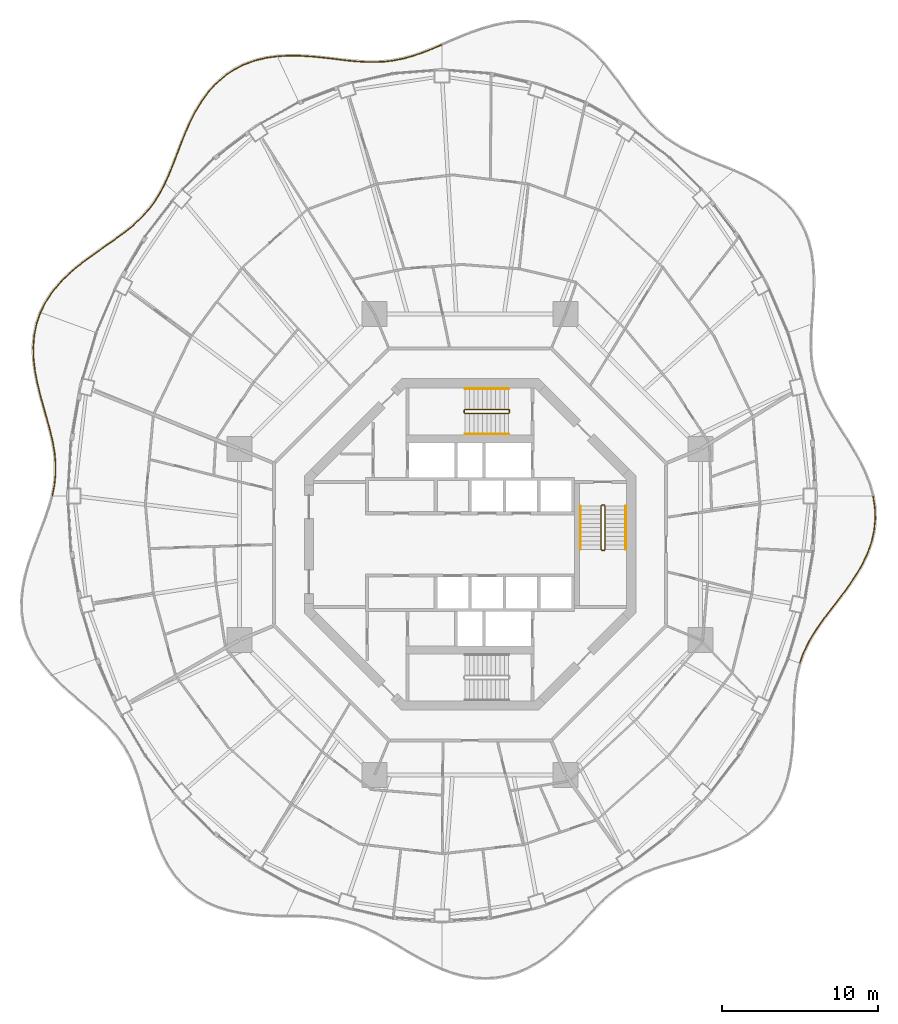
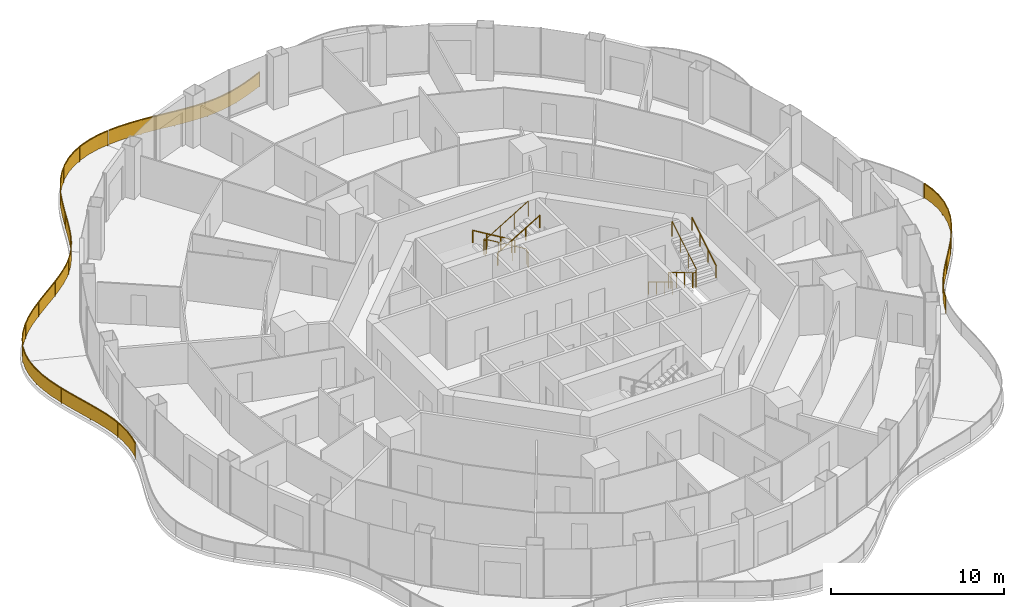
# One storey, part 17 of 18: 11 railings.
"""IFC4 building model written with IfcOpenShell, lengths in metres."""

from ifc_helpers import new_model, si_unit, direction, frame, origin, origin_2d, place, context, subcontext, project, spatial, polyline, rectangle, circle, outline, extrude, material, type_object, element, save


model = new_model("IFC4")

# Units and contexts
model_context = context("Model", 3, precision=1e-05, world=origin(), true_north=direction((0.0, 1.0)))
body_context = subcontext(model_context, "Body", "Model", "MODEL_VIEW")
ifc_project = project(units=[si_unit("LENGTHUNIT", "METRE"), si_unit("AREAUNIT", "SQUARE_METRE"), si_unit("VOLUMEUNIT", "CUBIC_METRE"), si_unit("PLANEANGLEUNIT", "RADIAN"), si_unit("MASSUNIT", "GRAM", prefix="KILO")], contexts=[model_context])

# Site, building, storey
site_placement = place(None, origin())
site = spatial("IfcSite", under=ifc_project, at=site_placement, CompositionType="ELEMENT")
building_placement = place(site_placement, origin())
building = spatial("IfcBuilding", under=site, at=building_placement, Name="Nagisa Residences", CompositionType="ELEMENT")
storey_placement = place(building_placement, frame((0.0, 0.0, 219.60009765625)))
storey = spatial("IfcBuildingStorey", under=building, at=storey_placement, Name="L55", CompositionType="ELEMENT", Elevation=219.60009765625)

# Railings
ifc_material_1 = material(Name="Stainless steel 316", Category="steel")
railing_type_1 = type_object("IfcRailingType", Name="BALCONY GUARD 1100", PredefinedType="BALUSTRADE", material=ifc_material_1)
railing_1_placement = place(storey_placement, frame((-1.834228515625, 32.01806640625, 0.0)))
element("IfcRailing", 1, at=railing_1_placement, inside=storey, type_object=railing_type_1, Name="guard:L55:bal04-0", PredefinedType="BALUSTRADE", context=body_context, shape_type="SweptSolid", body=[
    extrude(outline(polyline([(-0.581298828125, -0.274658203125), (0.009765625, -0.02294921875), (-0.009765625, 0.02294921875), (-0.600341796875, -0.228271484375), (-1.220703125, -0.47119140625), (-1.83203125, -0.68017578125), (-2.4384765625, -0.84814453125), (-3.04541015625, -0.97119140625), (-3.640869140625, -1.04443359375), (-4.264404296875, -1.0751953125), (-4.90234375, -1.0654296875), (-5.55810546875, -1.021728515625), (-6.232666015625, -0.953857421875), (-6.909423828125, -0.86767578125), (-7.619873046875, -0.7861328125), (-8.34375, -0.716796875), (-9.07568359375, -0.673095703125), (-9.80908203125, -0.666748046875), (-10.48974609375, -0.70458984375), (-10.48681640625, -0.75439453125), (-9.80810546875, -0.717041015625), (-9.0771484375, -0.722900390625), (-8.34765625, -0.7666015625), (-7.625244140625, -0.8359375), (-6.915283203125, -0.91748046875), (-6.238525390625, -1.003662109375), (-5.5625, -1.071533203125), (-4.904296875, -1.115234375), (-4.263427734375, -1.12548828125), (-3.636474609375, -1.09423828125), (-3.03759765625, -1.0205078125), (-2.4267578125, -0.89697265625), (-1.8173828125, -0.72802734375), (-1.20361328125, -0.51806640625), (-0.581298828125, -0.274658203125)])), frame((0.0, 0.0, 1.050048828125)), (0.0, 0.0, 1.0), 0.050048828125),
    extrude(outline(polyline([(-0.588134765625, -0.258056640625), (0.002685546875, -0.00634765625), (-0.002685546875, 0.00634765625), (-0.593505859375, -0.244873046875), (-1.214599609375, -0.488037109375), (-1.82666015625, -0.697509765625), (-2.434326171875, -0.86572265625), (-3.042724609375, -0.989013671875), (-3.63916015625, -1.062255859375), (-4.263916015625, -1.09326171875), (-4.903076171875, -1.083251953125), (-5.559814453125, -1.03955078125), (-6.23486328125, -0.971923828125), (-6.91162109375, -0.8857421875), (-7.621826171875, -0.803955078125), (-8.34521484375, -0.734619140625), (-9.076171875, -0.69091796875), (-9.808837890625, -0.684814453125), (-10.48876953125, -0.722412109375), (-10.48779296875, -0.736572265625), (-9.808349609375, -0.698974609375), (-9.07666015625, -0.705078125), (-8.34619140625, -0.748779296875), (-7.623291015625, -0.818115234375), (-6.9130859375, -0.8994140625), (-6.236328125, -0.985595703125), (-5.560791015625, -1.0537109375), (-4.903564453125, -1.097412109375), (-4.263916015625, -1.107421875), (-3.63818359375, -1.076416015625), (-3.040283203125, -1.002685546875), (-2.430908203125, -0.87939453125), (-1.82275390625, -0.710693359375), (-1.209716796875, -0.501220703125), (-0.588134765625, -0.258056640625)])), frame((0.0, 0.0, 0.06005859375)), (0.0, 0.0, 1.0), 0.989990234375),
    extrude(rectangle(XDim=0.0400390625, YDim=0.0400390625, at=origin_2d()), origin(), (0.0, 0.0, 1.0), 1.050048828125),
    extrude(rectangle(XDim=0.0400390625, YDim=0.0400390625, at=origin_2d()), frame((-1.997802734375, -0.751953125, 0.0)), (0.0, 0.0, 1.0), 1.050048828125),
    extrude(rectangle(XDim=0.0400390625, YDim=0.0400390625, at=origin_2d()), frame((-4.100341796875, -1.09228515625, 0.0)), (0.0, 0.0, 1.0), 1.050048828125),
    extrude(rectangle(XDim=0.0400390625, YDim=0.0400390625, at=origin_2d()), frame((-6.2314453125, -0.979248046875, 0.0)), (0.0, 0.0, 1.0), 1.050048828125),
    extrude(rectangle(XDim=0.0400390625, YDim=0.0400390625, at=origin_2d()), frame((-8.354248046875, -0.7412109375, 0.0)), (0.0, 0.0, 1.0), 1.050048828125),
    extrude(rectangle(XDim=0.0400390625, YDim=0.0400390625, at=origin_2d()), frame((-10.48828125, -0.7294921875, 0.0)), (0.0, 0.0, 1.0), 1.050048828125),
])
railing_2_placement = place(storey_placement, frame((-12.3994140625, 31.28173828125, 0.0)))
element("IfcRailing", 2, at=railing_2_placement, inside=storey, type_object=railing_type_1, Name="guard:L55:bal05-0", PredefinedType="BALUSTRADE", context=body_context, shape_type="SweptSolid", body=[
    extrude(outline(polyline([(-0.688232421875, -0.121337890625), (0.00341796875, -0.02490234375), (-0.00341796875, 0.02490234375), (-0.697509765625, -0.072021484375), (-1.4150390625, -0.24853515625), (-2.099853515625, -0.500244140625), (-2.74462890625, -0.8291015625), (-3.340576171875, -1.232421875), (-3.876220703125, -1.70068359375), (-4.369873046875, -2.24072265625), (-4.81103515625, -2.835693359375), (-5.201904296875, -3.47412109375), (-5.548095703125, -4.143798828125), (-5.844482421875, -4.821533203125), (-6.125244140625, -5.516357421875), (-6.388427734375, -6.205078125), (-6.64501953125, -6.878173828125), (-6.906982421875, -7.5263671875), (-7.16650390625, -8.105224609375), (-7.12060546875, -8.125732421875), (-6.861083984375, -7.5458984375), (-6.5986328125, -6.896240234375), (-6.341552734375, -6.22314453125), (-6.078857421875, -5.534423828125), (-5.798583984375, -4.841064453125), (-5.502685546875, -4.165283203125), (-5.158447265625, -3.49853515625), (-4.76953125, -2.863525390625), (-4.331298828125, -2.2724609375), (-3.841064453125, -1.736328125), (-3.309814453125, -1.27197265625), (-2.71923828125, -0.8720703125), (-2.079833984375, -0.546142578125), (-1.400390625, -0.29638671875), (-0.688232421875, -0.121337890625)])), frame((0.0, 0.0, 1.050048828125)), (0.0, 0.0, 1.0), 0.050048828125),
    extrude(outline(polyline([(-0.691650390625, -0.103515625), (0.0009765625, -0.0068359375), (-0.0009765625, 0.0068359375), (-0.694091796875, -0.08984375), (-1.40966796875, -0.265869140625), (-2.092529296875, -0.516845703125), (-2.735595703125, -0.844482421875), (-3.32958984375, -1.24658203125), (-3.863525390625, -1.71337890625), (-4.35595703125, -2.252197265625), (-4.796142578125, -2.845703125), (-5.186279296875, -3.48291015625), (-5.53173828125, -4.151611328125), (-5.827880859375, -4.82861328125), (-6.108642578125, -5.52294921875), (-6.37158203125, -6.211669921875), (-6.62841796875, -6.884765625), (-6.890380859375, -7.533447265625), (-7.14990234375, -8.112548828125), (-7.13720703125, -8.118408203125), (-6.877685546875, -7.538818359375), (-6.615234375, -6.8896484375), (-6.3583984375, -6.216552734375), (-6.095458984375, -5.52783203125), (-5.815185546875, -4.833984375), (-5.51904296875, -4.157470703125), (-5.174072265625, -3.48974609375), (-4.784423828125, -2.853515625), (-4.34521484375, -2.260986328125), (-3.853759765625, -1.7236328125), (-3.32080078125, -1.2578125), (-2.728271484375, -0.856689453125), (-2.087158203125, -0.529541015625), (-1.40576171875, -0.279052734375), (-0.691650390625, -0.103515625)])), frame((0.0, 0.0, 0.06005859375)), (0.0, 0.0, 1.0), 0.989990234375),
    extrude(rectangle(XDim=0.0400390625, YDim=0.0400390625, at=origin_2d()), origin(), (0.0, 0.0, 1.0), 1.050048828125),
    extrude(rectangle(XDim=0.0400390625, YDim=0.0400390625, at=origin_2d()), frame((-2.221923828125, -0.590576171875, 0.0)), (0.0, 0.0, 1.0), 1.050048828125),
    extrude(rectangle(XDim=0.0400390625, YDim=0.0400390625, at=origin_2d()), frame((-4.070068359375, -1.94970703125, 0.0)), (0.0, 0.0, 1.0), 1.050048828125),
    extrude(rectangle(XDim=0.0400390625, YDim=0.0400390625, at=origin_2d()), frame((-5.368408203125, -3.850830078125, 0.0)), (0.0, 0.0, 1.0), 1.050048828125),
    extrude(rectangle(XDim=0.0400390625, YDim=0.0400390625, at=origin_2d()), frame((-6.27392578125, -5.975341796875, 0.0)), (0.0, 0.0, 1.0), 1.050048828125),
    extrude(rectangle(XDim=0.0400390625, YDim=0.0400390625, at=origin_2d()), frame((-7.1435546875, -8.115478515625, 0.0)), (0.0, 0.0, 1.0), 1.050048828125),
])
railing_3_placement = place(storey_placement, frame((-19.572509765625, 23.1005859375, 0.0)))
element("IfcRailing", 3, at=railing_3_placement, inside=storey, type_object=railing_type_1, Name="guard:L55:bal06-0", PredefinedType="BALUSTRADE", context=body_context, shape_type="SweptSolid", body=[
    extrude(outline(polyline([(-0.2783203125, -0.5859375), (0.022216796875, -0.01171875), (-0.022216796875, 0.01171875), (-0.32177734375, -0.56103515625), (-0.6796875, -1.130859375), (-1.08251953125, -1.661865234375), (-1.533935546875, -2.157958984375), (-2.033935546875, -2.625244140625), (-2.571533203125, -3.05908203125), (-3.156005859375, -3.493896484375), (-3.76953125, -3.926513671875), (-4.3994140625, -4.36669921875), (-5.03076171875, -4.82373046875), (-5.6416015625, -5.29248046875), (-6.228515625, -5.804931640625), (-6.769775390625, -6.353271484375), (-7.2509765625, -6.939453125), (-7.659912109375, -7.564208984375), (-7.96728515625, -8.182373046875), (-7.92236328125, -8.204833984375), (-7.616455078125, -7.589111328125), (-7.21044921875, -6.96923828125), (-6.732666015625, -6.386962890625), (-6.1943359375, -5.841552734375), (-5.60986328125, -5.3310546875), (-5.0009765625, -4.86376953125), (-4.37060546875, -4.40771484375), (-3.74072265625, -3.967529296875), (-3.126708984375, -3.534423828125), (-2.540771484375, -3.0986328125), (-2.001220703125, -2.662841796875), (-1.498291015625, -2.193115234375), (-1.0439453125, -1.694091796875), (-0.638671875, -1.1591796875), (-0.2783203125, -0.5859375)])), frame((0.0, 0.0, 1.050048828125)), (0.0, 0.0, 1.0), 0.050048828125),
    extrude(outline(polyline([(-0.2939453125, -0.576904296875), (0.006103515625, -0.003173828125), (-0.006103515625, 0.003173828125), (-0.30615234375, -0.570068359375), (-0.6650390625, -1.14111328125), (-1.068603515625, -1.673583984375), (-1.52099609375, -2.170654296875), (-2.022216796875, -2.638671875), (-2.560546875, -3.0732421875), (-3.1455078125, -3.508544921875), (-3.759033203125, -3.94140625), (-4.38916015625, -4.381591796875), (-5.02001953125, -4.838134765625), (-5.630126953125, -5.306396484375), (-6.21630859375, -5.818115234375), (-6.75634765625, -6.365478515625), (-7.236328125, -6.9501953125), (-7.644287109375, -7.5732421875), (-7.951171875, -8.1904296875), (-7.9384765625, -8.19677734375), (-7.632080078125, -7.580078125), (-7.22509765625, -6.95849609375), (-6.74609375, -6.374755859375), (-6.20654296875, -5.828369140625), (-5.621337890625, -5.317138671875), (-5.01171875, -4.849365234375), (-4.380859375, -4.392822265625), (-3.751220703125, -3.95263671875), (-3.13720703125, -3.519775390625), (-2.5517578125, -3.08447265625), (-2.012939453125, -2.6494140625), (-1.51123046875, -2.180419921875), (-1.057861328125, -1.682373046875), (-0.6533203125, -1.14892578125), (-0.2939453125, -0.576904296875)])), frame((0.0, 0.0, 0.06005859375)), (0.0, 0.0, 1.0), 0.989990234375),
    extrude(rectangle(XDim=0.0400390625, YDim=0.0400390625, at=origin_2d()), origin(), (0.0, 0.0, 1.0), 1.050048828125),
    extrude(rectangle(XDim=0.0400390625, YDim=0.0400390625, at=origin_2d()), frame((-1.281005859375, -1.917236328125, 0.0)), (0.0, 0.0, 1.0), 1.050048828125),
    extrude(rectangle(XDim=0.0400390625, YDim=0.0400390625, at=origin_2d()), frame((-3.027099609375, -3.42919921875, 0.0)), (0.0, 0.0, 1.0), 1.050048828125),
    extrude(rectangle(XDim=0.0400390625, YDim=0.0400390625, at=origin_2d()), frame((-4.913818359375, -4.77001953125, 0.0)), (0.0, 0.0, 1.0), 1.050048828125),
    extrude(rectangle(XDim=0.0400390625, YDim=0.0400390625, at=origin_2d()), frame((-6.66259765625, -6.280517578125, 0.0)), (0.0, 0.0, 1.0), 1.050048828125),
    extrude(rectangle(XDim=0.0400390625, YDim=0.0400390625, at=origin_2d()), frame((-7.94482421875, -8.193603515625, 0.0)), (0.0, 0.0, 1.0), 1.050048828125),
])
railing_4_placement = place(storey_placement, frame((-27.54736328125, 14.835693359375, 0.0)))
element("IfcRailing", 4, at=railing_4_placement, inside=storey, type_object=railing_type_1, Name="guard:L55:bal07-0", PredefinedType="BALUSTRADE", context=body_context, shape_type="SweptSolid", body=[
    extrude(outline(polyline([(-0.207763671875, -0.676513671875), (0.023681640625, -0.00830078125), (-0.023681640625, 0.00830078125), (-0.256103515625, -0.663330078125), (-0.410400390625, -1.408447265625), (-0.4736328125, -2.176025390625), (-0.453125, -2.957763671875), (-0.360595703125, -3.74609375), (-0.207275390625, -4.520263671875), (-0.016845703125, -5.30126953125), (0.1953125, -6.0703125), (0.409912109375, -6.823974609375), (0.608642578125, -7.56103515625), (0.775634765625, -8.267333984375), (0.894287109375, -8.97216796875), (0.954833984375, -9.665283203125), (0.951416015625, -10.3505859375), (0.88134765625, -11.03369140625), (0.754638671875, -11.678466796875), (0.803955078125, -11.688232421875), (0.9306640625, -11.041015625), (1.001220703125, -10.353515625), (1.005126953125, -9.663330078125), (0.944091796875, -8.9658203125), (0.824951171875, -8.257568359375), (0.656982421875, -7.548828125), (0.458251953125, -6.810791015625), (0.24365234375, -6.056640625), (0.031494140625, -5.28857421875), (-0.158447265625, -4.509521484375), (-0.311279296875, -3.73828125), (-0.4033203125, -2.954345703125), (-0.42333984375, -2.177490234375), (-0.360595703125, -1.415771484375), (-0.207763671875, -0.676513671875)])), frame((0.0, 0.0, 1.050048828125)), (0.0, 0.0, 1.0), 0.050048828125),
    extrude(outline(polyline([(-0.22509765625, -0.671875), (0.006591796875, -0.002197265625), (-0.006591796875, 0.002197265625), (-0.23876953125, -0.66796875), (-0.392333984375, -1.4111328125), (-0.45556640625, -2.176513671875), (-0.435302734375, -2.95654296875), (-0.3427734375, -3.7431640625), (-0.189697265625, -4.516357421875), (0.00048828125, -5.296630859375), (0.212646484375, -6.0654296875), (0.42724609375, -6.8193359375), (0.6259765625, -7.556640625), (0.79345703125, -8.263916015625), (0.912353515625, -8.969970703125), (0.972900390625, -9.66455078125), (0.96923828125, -10.3515625), (0.899169921875, -11.036376953125), (0.7724609375, -11.681884765625), (0.7861328125, -11.684814453125), (0.912841796875, -11.038330078125), (0.9833984375, -10.3525390625), (0.987060546875, -9.6640625), (0.926025390625, -8.968017578125), (0.80712890625, -8.260986328125), (0.6396484375, -7.55322265625), (0.44091796875, -6.8154296875), (0.226318359375, -6.0615234375), (0.01416015625, -5.293212890625), (-0.176025390625, -4.513427734375), (-0.3291015625, -3.7412109375), (-0.421142578125, -2.95556640625), (-0.44140625, -2.177001953125), (-0.378662109375, -1.4130859375), (-0.22509765625, -0.671875)])), frame((0.0, 0.0, 0.06005859375)), (0.0, 0.0, 1.0), 0.989990234375),
    extrude(rectangle(XDim=0.0400390625, YDim=0.0400390625, at=origin_2d()), origin(), (0.0, 0.0, 1.0), 1.050048828125),
    extrude(rectangle(XDim=0.0400390625, YDim=0.0400390625, at=origin_2d()), frame((-0.444580078125, -2.326171875, 0.0)), (0.0, 0.0, 1.0), 1.050048828125),
    extrude(rectangle(XDim=0.0400390625, YDim=0.0400390625, at=origin_2d()), frame((-0.1416015625, -4.683837890625, 0.0)), (0.0, 0.0, 1.0), 1.050048828125),
    extrude(rectangle(XDim=0.0400390625, YDim=0.0400390625, at=origin_2d()), frame((0.479248046875, -6.98486328125, 0.0)), (0.0, 0.0, 1.0), 1.050048828125),
    extrude(rectangle(XDim=0.0400390625, YDim=0.0400390625, at=origin_2d()), frame((0.94970703125, -9.317138671875, 0.0)), (0.0, 0.0, 1.0), 1.050048828125),
    extrude(rectangle(XDim=0.0400390625, YDim=0.0400390625, at=origin_2d()), frame((0.779296875, -11.683349609375, 0.0)), (0.0, 0.0, 1.0), 1.050048828125),
])
railing_5_placement = place(storey_placement, frame((21.143310546875, -7.584228515625, 0.0)))
element("IfcRailing", 5, at=railing_5_placement, inside=storey, type_object=railing_type_1, Name="guard:L55:bal15-0", PredefinedType="BALUSTRADE", context=body_context, shape_type="SweptSolid", body=[
    extrude(outline(polyline([(0.1943359375, 0.6181640625), (-0.023681640625, 0.00830078125), (0.023681640625, -0.00830078125), (0.24072265625, 0.59912109375), (0.533447265625, 1.2255859375), (0.885986328125, 1.83935546875), (1.291015625, 2.447021484375), (1.737548828125, 3.055908203125), (2.207763671875, 3.65869140625), (2.69140625, 4.288330078125), (3.166259765625, 4.935302734375), (3.61279296875, 5.602783203125), (4.012939453125, 6.291259765625), (4.347900390625, 6.986328125), (4.606201171875, 7.713623046875), (4.775634765625, 8.45556640625), (4.849365234375, 9.20654296875), (4.8251953125, 9.96142578125), (4.712158203125, 10.667724609375), (4.662841796875, 10.659912109375), (4.775390625, 9.95654296875), (4.799072265625, 9.2080078125), (4.726318359375, 8.46337890625), (4.557861328125, 7.727783203125), (4.301513671875, 7.005859375), (3.968505859375, 6.314697265625), (3.5703125, 5.629150390625), (3.125244140625, 4.964111328125), (2.6513671875, 4.318603515625), (2.168212890625, 3.689453125), (1.697509765625, 3.086181640625), (1.25, 2.475830078125), (0.843505859375, 1.86572265625), (0.489013671875, 1.24853515625), (0.1943359375, 0.6181640625)])), frame((0.0, 0.0, 1.050048828125)), (0.0, 0.0, 1.0), 0.050048828125),
    extrude(outline(polyline([(0.2109375, 0.611328125), (-0.006591796875, 0.00244140625), (0.006591796875, -0.00244140625), (0.22412109375, 0.60595703125), (0.517333984375, 1.23388671875), (0.87060546875, 1.848876953125), (1.2763671875, 2.45751953125), (1.72314453125, 3.06689453125), (2.193603515625, 3.669677734375), (2.677001953125, 4.29931640625), (3.1513671875, 4.94580078125), (3.597412109375, 5.6123046875), (3.996826171875, 6.2998046875), (4.331298828125, 6.993408203125), (4.5888671875, 7.71875), (4.7578125, 8.458251953125), (4.831298828125, 9.20703125), (4.807373046875, 9.959716796875), (4.6943359375, 10.6650390625), (4.6806640625, 10.66259765625), (4.793212890625, 9.958251953125), (4.817138671875, 9.20751953125), (4.744140625, 8.460693359375), (4.5751953125, 7.72265625), (4.318115234375, 6.998779296875), (3.984619140625, 6.30615234375), (3.585693359375, 5.61962890625), (3.14013671875, 4.95361328125), (2.665771484375, 4.3076171875), (2.182373046875, 3.678466796875), (1.7119140625, 3.0751953125), (1.2646484375, 2.46533203125), (0.85888671875, 1.856201171875), (0.505126953125, 1.240234375), (0.2109375, 0.611328125)])), frame((0.0, 0.0, 0.06005859375)), (0.0, 0.0, 1.0), 0.989990234375),
    extrude(rectangle(XDim=0.0400390625, YDim=0.0400390625, at=origin_2d()), origin(), (0.0, 0.0, 1.0), 1.050048828125),
    extrude(rectangle(XDim=0.0400390625, YDim=0.0400390625, at=origin_2d()), frame((0.840576171875, 1.810302734375, 0.0)), (0.0, 0.0, 1.0), 1.050048828125),
    extrude(rectangle(XDim=0.0400390625, YDim=0.0400390625, at=origin_2d()), frame((2.00341796875, 3.437744140625, 0.0)), (0.0, 0.0, 1.0), 1.050048828125),
    extrude(rectangle(XDim=0.0400390625, YDim=0.0400390625, at=origin_2d()), frame((3.204833984375, 5.037841796875, 0.0)), (0.0, 0.0, 1.0), 1.050048828125),
    extrude(rectangle(XDim=0.0400390625, YDim=0.0400390625, at=origin_2d()), frame((4.212646484375, 6.763427734375, 0.0)), (0.0, 0.0, 1.0), 1.050048828125),
    extrude(rectangle(XDim=0.0400390625, YDim=0.0400390625, at=origin_2d()), frame((4.77197265625, 8.674560546875, 0.0)), (0.0, 0.0, 1.0), 1.050048828125),
    extrude(rectangle(XDim=0.0400390625, YDim=0.0400390625, at=origin_2d()), frame((4.6875, 10.663818359375, 0.0)), (0.0, 0.0, 1.0), 1.050048828125),
])
ifc_material_2 = material(Name="Stainless steel", Category="steel")
railing_type_2 = type_object("IfcRailingType", Name="Stair guard 1100", PredefinedType="GUARDRAIL", material=ifc_material_2)
railing_6_placement = place(storey_placement, frame((8.599609375, 2.52490234375, 0.0)))
element("IfcRailing", 6, at=railing_6_placement, inside=storey, type_object=railing_type_2, Name="L55 ST-E stair guard 1", PredefinedType="GUARDRAIL", context=body_context, shape_type="SweptSolid", body=[
    extrude(circle(Radius=0.02392578125, at=origin_2d()), frame((0.0, 0.0, 1.076171875), z_axis=(-1.0, 0.0, 0.0), x_axis=(0.0, -1.0, 0.0)), (0.0, 0.0, 1.0), 0.14990234375),
    extrude(circle(Radius=0.02392578125, at=origin_2d()), frame((-0.14990234375, 0.0, 1.076171875), z_axis=(-0.274683208305, -0.273343290215, 0.921863645432), x_axis=(0.705375805398, -0.708833529934, 0.0)), (0.0, 0.0, 1.0), 0.18212890625),
    extrude(circle(Radius=0.02392578125, at=origin_2d()), frame((-0.199951171875, -0.0498046875, 1.244140625), z_axis=(0.0, -0.857242210791, 0.514913383045), x_axis=(1.0, 0.0, 0.0)), (0.0, 0.0, 1.0), 3.266357421875),
    extrude(circle(Radius=0.02392578125, at=origin_2d()), frame((-0.199951171875, -2.849853515625, 2.92578125), z_axis=(0.707106781187, -0.707106781187, 0.0), x_axis=(0.707106781187, 0.707106781187, 0.0)), (0.0, 0.0, 1.0), 0.07080078125),
    extrude(circle(Radius=0.02392578125, at=origin_2d()), frame((-0.14990234375, -2.89990234375, 2.92578125), z_axis=(1.0, 0.0, 0.0), x_axis=(0.0, 1.0, 0.0)), (0.0, 0.0, 1.0), 0.14990234375),
    extrude(circle(Radius=0.02392578125, at=origin_2d()), frame((0.0, -2.89990234375, 2.92578125), z_axis=(0.274243871929, 0.274243871929, 0.92172696468), x_axis=(-0.707106781187, 0.707106781187, 0.0)), (0.0, 0.0, 1.0), 0.1826171875),
    extrude(circle(Radius=0.02392578125, at=origin_2d()), frame((0.050048828125, -2.849853515625, 3.09423828125), z_axis=(0.0, 0.857242210791, 0.514913383045), x_axis=(-1.0, 0.0, 0.0)), (0.0, 0.0, 1.0), 3.266357421875),
    extrude(circle(Radius=0.02099609375, at=origin_2d()), origin(), (0.0, 0.0, 1.0), 1.052001953125),
    extrude(circle(Radius=0.02099609375, at=origin_2d()), frame((-0.14990234375, 0.0, 0.0)), (0.0, 0.0, 1.0), 1.052001953125),
    extrude(circle(Radius=0.02099609375, at=origin_2d()), frame((-0.199951171875, -0.0498046875, 0.16796875)), (0.0, 0.0, 1.0), 1.052001953125),
    extrude(circle(Radius=0.02099609375, at=origin_2d()), frame((-0.199951171875, -0.983154296875, 0.728515625)), (0.0, 0.0, 1.0), 1.052001953125),
    extrude(circle(Radius=0.02099609375, at=origin_2d()), frame((-0.199951171875, -1.91650390625, 1.289306640625)), (0.0, 0.0, 1.0), 1.052001953125),
    extrude(circle(Radius=0.02099609375, at=origin_2d()), frame((-0.199951171875, -2.849853515625, 1.849853515625)), (0.0, 0.0, 1.0), 1.052001953125),
    extrude(circle(Radius=0.02099609375, at=origin_2d()), frame((-0.14990234375, -2.89990234375, 1.849853515625)), (0.0, 0.0, 1.0), 1.052001953125),
    extrude(circle(Radius=0.02099609375, at=origin_2d()), frame((0.0, -2.89990234375, 1.849853515625)), (0.0, 0.0, 1.0), 1.052001953125),
    extrude(circle(Radius=0.02099609375, at=origin_2d()), frame((0.050048828125, -2.849853515625, 2.01806640625)), (0.0, 0.0, 1.0), 1.052001953125),
    extrude(circle(Radius=0.02099609375, at=origin_2d()), frame((0.050048828125, -1.91650390625, 2.57861328125)), (0.0, 0.0, 1.0), 1.052001953125),
    extrude(circle(Radius=0.02099609375, at=origin_2d()), frame((0.050048828125, -0.983154296875, 3.139404296875)), (0.0, 0.0, 1.0), 1.052001953125),
    extrude(circle(Radius=0.02099609375, at=origin_2d()), frame((0.050048828125, -0.0498046875, 3.699951171875)), (0.0, 0.0, 1.0), 1.052001953125),
])
railing_7_placement = place(storey_placement, frame((2.52490234375, 8.44970703125, 0.0)))
element("IfcRailing", 7, at=railing_7_placement, inside=storey, type_object=railing_type_2, Name="L55 ST-N stair guard 1", PredefinedType="GUARDRAIL", context=body_context, shape_type="SweptSolid", body=[
    extrude(circle(Radius=0.02392578125, at=origin_2d()), frame((0.0, 0.0, 1.076171875), z_axis=(0.0, 1.0, 0.0), x_axis=(-1.0, 0.0, 0.0)), (0.0, 0.0, 1.0), 0.14990234375),
    extrude(circle(Radius=0.02392578125, at=origin_2d()), frame((0.0, 0.14990234375, 1.076171875), z_axis=(-0.273343290215, 0.274683208305, 0.921863645432), x_axis=(-0.708833529934, -0.705375805398, 0.0)), (0.0, 0.0, 1.0), 0.18212890625),
    extrude(circle(Radius=0.02392578125, at=origin_2d()), frame((-0.0498046875, 0.199951171875, 1.244140625), z_axis=(-0.857242210791, 0.0, 0.514913383045), x_axis=(0.0, -1.0, 0.0)), (0.0, 0.0, 1.0), 3.266357421875),
    extrude(circle(Radius=0.02392578125, at=origin_2d()), frame((-2.849853515625, 0.199951171875, 2.92578125), z_axis=(-0.707106781187, -0.707106781187, 0.0), x_axis=(0.707106781187, -0.707106781187, 0.0)), (0.0, 0.0, 1.0), 0.07080078125),
    extrude(circle(Radius=0.02392578125, at=origin_2d()), frame((-2.89990234375, 0.14990234375, 2.92578125), z_axis=(0.0, -1.0, 0.0), x_axis=(1.0, 0.0, 0.0)), (0.0, 0.0, 1.0), 0.14990234375),
    extrude(circle(Radius=0.02392578125, at=origin_2d()), frame((-2.89990234375, 0.0, 2.92578125), z_axis=(0.274243871929, -0.274243871929, 0.92172696468), x_axis=(0.707106781187, 0.707106781187, 0.0)), (0.0, 0.0, 1.0), 0.1826171875),
    extrude(circle(Radius=0.02392578125, at=origin_2d()), frame((-2.849853515625, -0.050048828125, 3.09423828125), z_axis=(0.857242210791, 0.0, 0.514913383045), x_axis=(0.0, 1.0, 0.0)), (0.0, 0.0, 1.0), 3.266357421875),
    extrude(circle(Radius=0.02099609375, at=origin_2d()), origin(), (0.0, 0.0, 1.0), 1.052001953125),
    extrude(circle(Radius=0.02099609375, at=origin_2d()), frame((0.0, 0.14990234375, 0.0)), (0.0, 0.0, 1.0), 1.052001953125),
    extrude(circle(Radius=0.02099609375, at=origin_2d()), frame((-0.0498046875, 0.199951171875, 0.16796875)), (0.0, 0.0, 1.0), 1.052001953125),
    extrude(circle(Radius=0.02099609375, at=origin_2d()), frame((-0.983154296875, 0.199951171875, 0.728515625)), (0.0, 0.0, 1.0), 1.052001953125),
    extrude(circle(Radius=0.02099609375, at=origin_2d()), frame((-1.91650390625, 0.199951171875, 1.289306640625)), (0.0, 0.0, 1.0), 1.052001953125),
    extrude(circle(Radius=0.02099609375, at=origin_2d()), frame((-2.849853515625, 0.199951171875, 1.849853515625)), (0.0, 0.0, 1.0), 1.052001953125),
    extrude(circle(Radius=0.02099609375, at=origin_2d()), frame((-2.89990234375, 0.14990234375, 1.849853515625)), (0.0, 0.0, 1.0), 1.052001953125),
    extrude(circle(Radius=0.02099609375, at=origin_2d()), frame((-2.89990234375, 0.0, 1.849853515625)), (0.0, 0.0, 1.0), 1.052001953125),
    extrude(circle(Radius=0.02099609375, at=origin_2d()), frame((-2.849853515625, -0.050048828125, 2.01806640625)), (0.0, 0.0, 1.0), 1.052001953125),
    extrude(circle(Radius=0.02099609375, at=origin_2d()), frame((-1.91650390625, -0.050048828125, 2.57861328125)), (0.0, 0.0, 1.0), 1.052001953125),
    extrude(circle(Radius=0.02099609375, at=origin_2d()), frame((-0.983154296875, -0.050048828125, 3.139404296875)), (0.0, 0.0, 1.0), 1.052001953125),
    extrude(circle(Radius=0.02099609375, at=origin_2d()), frame((-0.0498046875, -0.050048828125, 3.699951171875)), (0.0, 0.0, 1.0), 1.052001953125),
])
ifc_material_3 = material(Name="Stainless steel", Category="steel")
railing_type_3 = type_object("IfcRailingType", Name="Stair handrail 900", PredefinedType="HANDRAIL", material=ifc_material_3)
railing_8_placement = place(storey_placement, frame((7.07470703125, 2.47509765625, 0.16796875)))
element("IfcRailing", 8, at=railing_8_placement, inside=storey, type_object=railing_type_3, Name="L55 ST-E stair handrail 1", PredefinedType="HANDRAIL", context=body_context, shape_type="SweptSolid", body=[
    extrude(circle(Radius=0.02392578125, at=origin_2d()), frame((0.0, 0.0, 0.8759765625), z_axis=(0.0, -0.857242210791, 0.514913383045), x_axis=(1.0, 0.0, 0.0)), (0.0, 0.0, 1.0), 3.266357421875),
    extrude(circle(Radius=0.02099609375, at=origin_2d()), origin(), (0.0, 0.0, 1.0), 0.851806640625),
    extrude(circle(Radius=0.02099609375, at=origin_2d()), frame((0.0, -0.933349609375, 0.560546875)), (0.0, 0.0, 1.0), 0.851806640625),
    extrude(circle(Radius=0.02099609375, at=origin_2d()), frame((0.0, -1.86669921875, 1.121337890625)), (0.0, 0.0, 1.0), 0.851806640625),
    extrude(circle(Radius=0.02099609375, at=origin_2d()), frame((0.0, -2.800048828125, 1.681884765625)), (0.0, 0.0, 1.0), 0.851806640625),
])
railing_9_placement = place(storey_placement, frame((9.974609375, -0.324951171875, 2.01806640625)))
element("IfcRailing", 9, at=railing_9_placement, inside=storey, type_object=railing_type_3, Name="L55 ST-E stair handrail 2", PredefinedType="HANDRAIL", context=body_context, shape_type="SweptSolid", body=[
    extrude(circle(Radius=0.02392578125, at=origin_2d()), frame((0.0, 0.0, 0.8759765625), z_axis=(0.0, 0.857242210791, 0.514913383045), x_axis=(-1.0, 0.0, 0.0)), (0.0, 0.0, 1.0), 3.266357421875),
    extrude(circle(Radius=0.02099609375, at=origin_2d()), origin(), (0.0, 0.0, 1.0), 0.851806640625),
    extrude(circle(Radius=0.02099609375, at=origin_2d()), frame((0.0, 0.933349609375, 0.560546875)), (0.0, 0.0, 1.0), 0.851806640625),
    extrude(circle(Radius=0.02099609375, at=origin_2d()), frame((0.0, 1.86669921875, 1.121337890625)), (0.0, 0.0, 1.0), 0.851806640625),
    extrude(circle(Radius=0.02099609375, at=origin_2d()), frame((0.0, 2.800048828125, 1.681884765625)), (0.0, 0.0, 1.0), 0.851806640625),
])
railing_10_placement = place(storey_placement, frame((2.47509765625, 9.974609375, 0.16796875)))
element("IfcRailing", 10, at=railing_10_placement, inside=storey, type_object=railing_type_3, Name="L55 ST-N stair handrail 1", PredefinedType="HANDRAIL", context=body_context, shape_type="SweptSolid", body=[
    extrude(circle(Radius=0.02392578125, at=origin_2d()), frame((0.0, 0.0, 0.8759765625), z_axis=(-0.857242210791, 0.0, 0.514913383045), x_axis=(0.0, -1.0, 0.0)), (0.0, 0.0, 1.0), 3.266357421875),
    extrude(circle(Radius=0.02099609375, at=origin_2d()), origin(), (0.0, 0.0, 1.0), 0.851806640625),
    extrude(circle(Radius=0.02099609375, at=origin_2d()), frame((-0.933349609375, 0.0, 0.560546875)), (0.0, 0.0, 1.0), 0.851806640625),
    extrude(circle(Radius=0.02099609375, at=origin_2d()), frame((-1.86669921875, 0.0, 1.121337890625)), (0.0, 0.0, 1.0), 0.851806640625),
    extrude(circle(Radius=0.02099609375, at=origin_2d()), frame((-2.800048828125, 0.0, 1.681884765625)), (0.0, 0.0, 1.0), 0.851806640625),
])
railing_11_placement = place(storey_placement, frame((-0.324951171875, 7.07470703125, 2.01806640625)))
element("IfcRailing", 11, at=railing_11_placement, inside=storey, type_object=railing_type_3, Name="L55 ST-N stair handrail 2", PredefinedType="HANDRAIL", context=body_context, shape_type="SweptSolid", body=[
    extrude(circle(Radius=0.02392578125, at=origin_2d()), frame((0.0, 0.0, 0.8759765625), z_axis=(0.857242210791, 0.0, 0.514913383045), x_axis=(0.0, 1.0, 0.0)), (0.0, 0.0, 1.0), 3.266357421875),
    extrude(circle(Radius=0.02099609375, at=origin_2d()), origin(), (0.0, 0.0, 1.0), 0.851806640625),
    extrude(circle(Radius=0.02099609375, at=origin_2d()), frame((0.933349609375, 0.0, 0.560546875)), (0.0, 0.0, 1.0), 0.851806640625),
    extrude(circle(Radius=0.02099609375, at=origin_2d()), frame((1.86669921875, 0.0, 1.121337890625)), (0.0, 0.0, 1.0), 0.851806640625),
    extrude(circle(Radius=0.02099609375, at=origin_2d()), frame((2.800048828125, 0.0, 1.681884765625)), (0.0, 0.0, 1.0), 0.851806640625),
])

save(model, "model.ifc")
